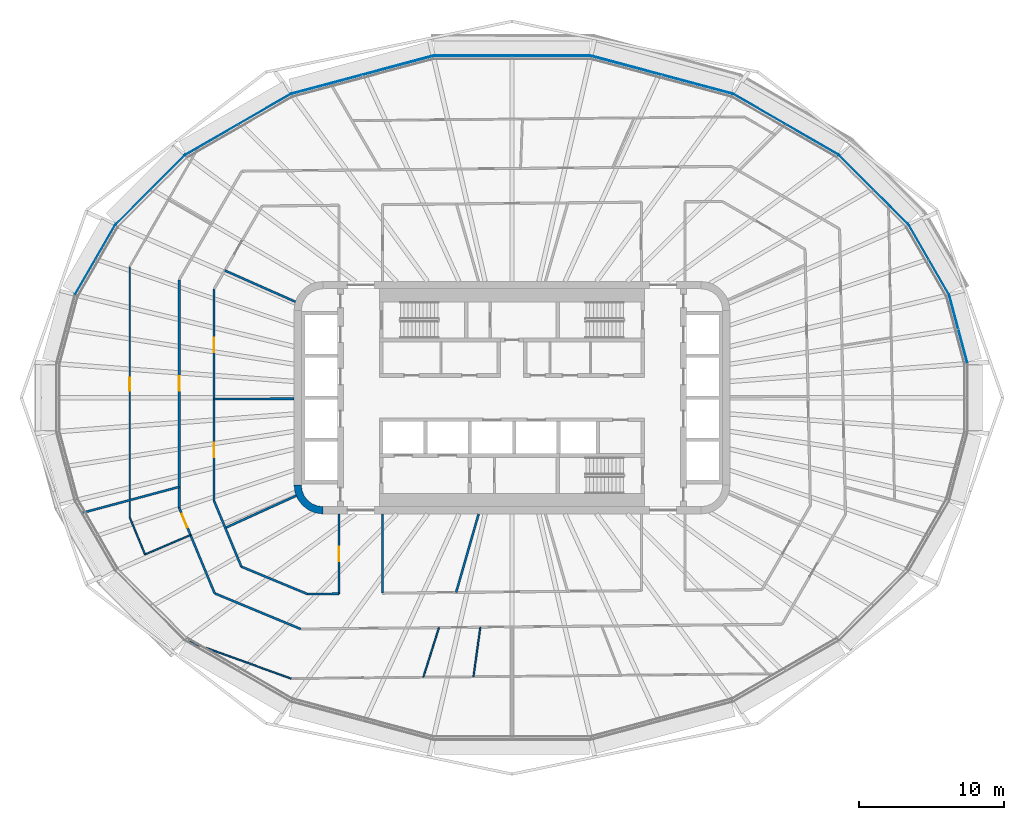
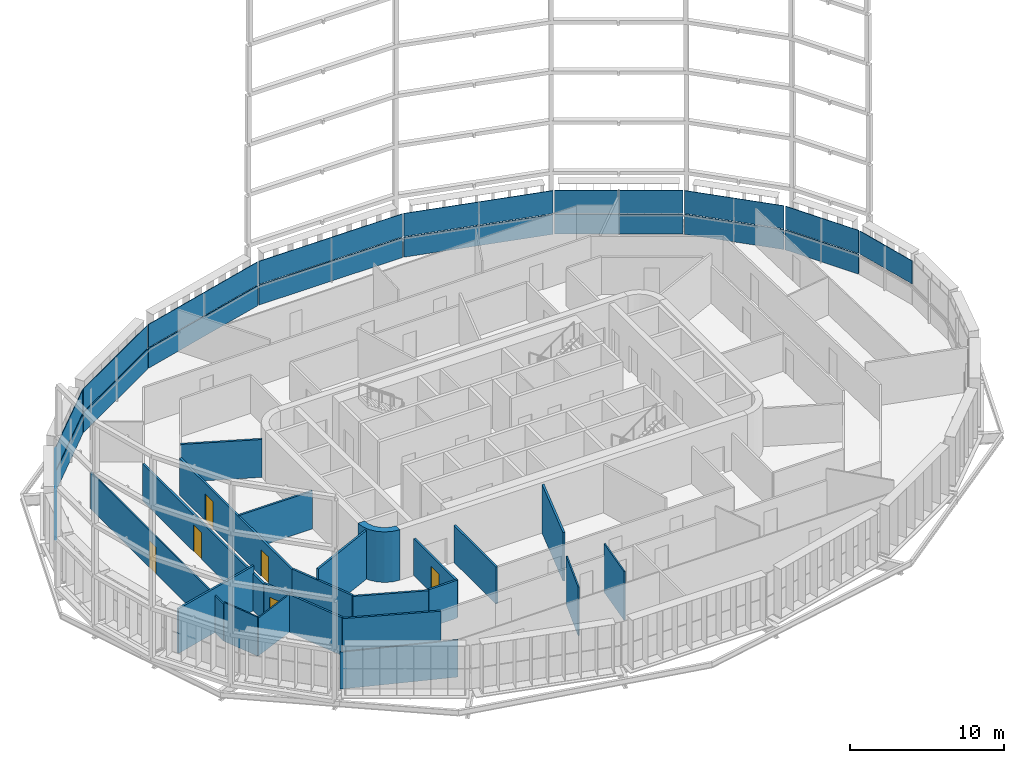
# One storey, part 11 of 24: 21 walls, 19 plates, 6 doors, 6 openings, 10 elements without a shape of their own.
"""IFC4 building model written with IfcOpenShell, lengths in metres."""

from ifc_helpers import new_model, si_unit, direction, frame, frame_2d, origin, place, context, subcontext, project, spatial, polyline, rectangle, outline, extrude, material, layer, layer_set, type_object, element, fill, aggregate, save


model = new_model("IFC4")

# Units and contexts
model_context = context("Model", 3, precision=1e-05, world=origin(), true_north=direction((0.0, 1.0)))
body_context = subcontext(model_context, "Body", "Model", "MODEL_VIEW")
ifc_project = project(units=[si_unit("LENGTHUNIT", "METRE"), si_unit("AREAUNIT", "SQUARE_METRE"), si_unit("VOLUMEUNIT", "CUBIC_METRE"), si_unit("PLANEANGLEUNIT", "RADIAN"), si_unit("MASSUNIT", "GRAM", prefix="KILO")], contexts=[model_context])

# Site, building, storey
site_placement = place(None, origin())
site = spatial("IfcSite", under=ifc_project, at=site_placement, CompositionType="ELEMENT")
building_placement = place(site_placement, origin())
building = spatial("IfcBuilding", under=site, at=building_placement, Name="Sahrelin Media Tower", CompositionType="ELEMENT")
storey_placement = place(building_placement, frame((0.0, 0.0, 153.60009765625)))
storey = spatial("IfcBuildingStorey", under=building, at=storey_placement, Name="L31", CompositionType="ELEMENT", Elevation=153.60009765625)

# Curtain wall, plate
ifc_material_1 = material(Name="Champagne anodised aluminium 6063-T6", Category="aluminium")
ifc_layer_1 = layer(ifc_material_1, 0.14990234375)
ifc_layer_set_1 = layer_set([ifc_layer_1], Name="Tower ribbon curtain wall")
curtain_wall_type = type_object("IfcCurtainWallType", Name="Tower ribbon curtain wall", PredefinedType="NOTDEFINED", material=ifc_layer_set_1)
curtain_wall_1_placement = place(storey_placement, frame((30.71728515625, 4.709716796875, 0.0), z_axis=(0.0, 0.0, 1.0), x_axis=(1.0, 0.0, 0.0)))
curtain_wall_1 = element("IfcCurtainWall", 1, at=curtain_wall_1_placement, inside=storey, type_object=curtain_wall_type, Name="L31:CW:L31-01", PredefinedType="NOTDEFINED")
ifc_material_2 = material(Name="Clear low-iron glazing", Category="glass")
ifc_layer_2 = layer(ifc_material_2, 0.0439453125)
ifc_layer_set_2 = layer_set([ifc_layer_2], Name="Glazing panel 44 mm CW1B")
plate_type_1 = type_object("IfcPlateType", Name="Glazing panel 44 mm CW1B", PredefinedType="CURTAIN_PANEL", material=ifc_layer_set_2)
plate_1_placement = place(storey_placement, frame((31.35791015625, 2.396484375, 1.6298828125), z_axis=(0.965927847978, 0.25881149994, 0.0), x_axis=(-0.25881149994, 0.965927847978, 0.0)))
plate_1 = element("IfcPlate", 2, at=plate_1_placement, type_object=plate_type_1, Name="L31:CWP2:L31-01", PredefinedType="CURTAIN_PANEL", context=body_context, shape_type="SweptSolid", body=[
    extrude(outline(polyline([(0.0, 0.0), (4.800537109375, 0.0), (4.800537109375, 1.818603515625), (0.0, 1.818603515625), (0.0, 0.0)])), origin(), (0.0, 0.0, -1.0), 0.0439453125),
])
aggregate(curtain_wall_1, [plate_1])

curtain_wall_2_placement = place(storey_placement, frame((28.689208984375, 9.490966796875, 0.0), z_axis=(0.0, 0.0, 1.0), x_axis=(1.0, 0.0, 0.0)))
curtain_wall_2 = element("IfcCurtainWall", 3, at=curtain_wall_2_placement, inside=storey, type_object=curtain_wall_type, Name="L31:CW:L31-02", PredefinedType="NOTDEFINED")
plate_2_placement = place(storey_placement, frame((30.075439453125, 7.1298828125, 1.6298828125), z_axis=(0.866034122891, 0.49998489776, 0.0), x_axis=(-0.49998489776, 0.866034122891, 0.0)))
plate_2 = element("IfcPlate", 4, at=plate_2_placement, type_object=plate_type_1, Name="L31:CWP2:L31-02", PredefinedType="CURTAIN_PANEL", context=body_context, shape_type="SweptSolid", body=[
    extrude(outline(polyline([(0.0, 0.0), (5.475830078125, 0.0), (5.475830078125, 1.818603515625), (0.0, 1.818603515625), (0.0, 0.0)])), origin(), (0.0, 0.0, -1.0), 0.0439453125),
])

curtain_wall_3_placement = place(storey_placement, frame((24.900634765625, 14.30029296875, 0.0), z_axis=(0.0, 0.0, 1.0), x_axis=(1.0, 0.0, 0.0)))
curtain_wall_3 = element("IfcCurtainWall", 5, at=curtain_wall_3_placement, inside=storey, type_object=curtain_wall_type, Name="L31:CW:L31-03", PredefinedType="NOTDEFINED")
plate_3_placement = place(storey_placement, frame((27.274169921875, 11.954833984375, 1.6298828125), z_axis=(0.707106781187, 0.707106781187, 0.0), x_axis=(-0.707106781187, 0.707106781187, 0.0)))
plate_3 = element("IfcPlate", 6, at=plate_3_placement, type_object=plate_type_1, Name="L31:CWP2:L31-03", PredefinedType="CURTAIN_PANEL", context=body_context, shape_type="SweptSolid", body=[
    extrude(outline(polyline([(0.0, 0.0), (6.67333984375, 0.0), (6.67333984375, 1.818603515625), (0.0, 1.818603515625), (0.0, 0.0)])), origin(), (0.0, 0.0, -1.0), 0.0439453125),
])

curtain_wall_4_placement = place(storey_placement, frame((18.85107421875, 18.804931640625, 0.0), z_axis=(0.0, 0.0, 1.0), x_axis=(1.0, 0.0, 0.0)))
curtain_wall_4 = element("IfcCurtainWall", 7, at=curtain_wall_4_placement, inside=storey, type_object=curtain_wall_type, Name="L31:CW:L31-04", PredefinedType="NOTDEFINED")
plate_4_placement = place(storey_placement, frame((22.472412109375, 16.7373046875, 1.6298828125), z_axis=(0.500002026074, 0.866024234027, 0.0), x_axis=(-0.866024234027, 0.500002026074, 0.0)))
plate_4 = element("IfcPlate", 8, at=plate_4_placement, type_object=plate_type_1, Name="L31:CWP2:L31-04", PredefinedType="CURTAIN_PANEL", context=body_context, shape_type="SweptSolid", body=[
    extrude(outline(polyline([(0.0, 0.0), (8.34033203125, 0.0), (8.34033203125, 1.818603515625), (0.0, 1.818603515625), (0.0, 0.0)])), origin(), (0.0, 0.0, -1.0), 0.0439453125),
])

curtain_wall_5_placement = place(storey_placement, frame((10.312255859375, 22.2236328125, 0.0), z_axis=(0.0, 0.0, 1.0), x_axis=(1.0, 0.0, 0.0)))
curtain_wall_5 = element("IfcCurtainWall", 9, at=curtain_wall_5_placement, inside=storey, type_object=curtain_wall_type, Name="L31:CW:L31-05", PredefinedType="NOTDEFINED")
plate_5_placement = place(storey_placement, frame((15.153076171875, 20.947509765625, 1.6298828125), z_axis=(0.258806775726, 0.965929113775, 0.0), x_axis=(-0.965929113775, 0.258806775726, 0.0)))
plate_5 = element("IfcPlate", 10, at=plate_5_placement, type_object=plate_type_1, Name="L31:CWP2:L31-05", PredefinedType="CURTAIN_PANEL", context=body_context, shape_type="SweptSolid", body=[
    extrude(outline(polyline([(0.0, 0.0), (10.012451171875, 0.0), (10.012451171875, 1.818603515625), (0.0, 1.818603515625), (0.0, 0.0)])), origin(), (0.0, 0.0, -1.0), 0.0439453125),
])

curtain_wall_6_placement = place(storey_placement, frame((0.0, 23.532470703125, 0.0), z_axis=(0.0, 0.0, 1.0), x_axis=(1.0, 0.0, 0.0)))
curtain_wall_6 = element("IfcCurtainWall", 11, at=curtain_wall_6_placement, inside=storey, type_object=curtain_wall_type, Name="L31:CW:L31-06", PredefinedType="NOTDEFINED")
plate_6_placement = place(storey_placement, frame((5.378173828125, 23.552490234375, 1.6298828125), z_axis=(0.0, 1.0, 0.0), x_axis=(-1.0, 0.0, 0.0)))
plate_6 = element("IfcPlate", 12, at=plate_6_placement, type_object=plate_type_1, Name="L31:CWP2:L31-06", PredefinedType="CURTAIN_PANEL", context=body_context, shape_type="SweptSolid", body=[
    extrude(outline(polyline([(0.0, 0.0), (10.75634765625, 0.0), (10.75634765625, 1.818603515625), (0.0, 1.818603515625), (0.0, 0.0)])), origin(), (0.0, 0.0, -1.0), 0.0439453125),
])

curtain_wall_7_placement = place(storey_placement, frame((-10.312255859375, 22.2236328125, 0.0), z_axis=(0.0, 0.0, 1.0), x_axis=(1.0, 0.0, 0.0)))
curtain_wall_7 = element("IfcCurtainWall", 13, at=curtain_wall_7_placement, inside=storey, type_object=curtain_wall_type, Name="L31:CW:L31-07", PredefinedType="NOTDEFINED")
plate_7_placement = place(storey_placement, frame((-5.481689453125, 23.538818359375, 1.6298828125), z_axis=(-0.258806775726, 0.965929113775, 0.0), x_axis=(-0.965929113775, -0.258806775726, 0.0)))
plate_7 = element("IfcPlate", 14, at=plate_7_placement, type_object=plate_type_1, Name="L31:CWP2:L31-07", PredefinedType="CURTAIN_PANEL", context=body_context, shape_type="SweptSolid", body=[
    extrude(outline(polyline([(0.0, 0.0), (10.012451171875, 0.0), (10.012451171875, 1.818603515625), (0.0, 1.818603515625), (0.0, 0.0)])), origin(), (0.0, 0.0, -1.0), 0.0439453125),
])

curtain_wall_8_placement = place(storey_placement, frame((-18.85107421875, 18.804931640625, 0.0), z_axis=(0.0, 0.0, 1.0), x_axis=(1.0, 0.0, 0.0)))
curtain_wall_8 = element("IfcCurtainWall", 15, at=curtain_wall_8_placement, inside=storey, type_object=curtain_wall_type, Name="L31:CW:L31-08", PredefinedType="NOTDEFINED")
plate_8_placement = place(storey_placement, frame((-15.24951171875, 20.907470703125, 1.6298828125), z_axis=(-0.500002026074, 0.866024234027, 0.0), x_axis=(-0.866024234027, -0.500002026074, 0.0)))
plate_8 = element("IfcPlate", 16, at=plate_8_placement, type_object=plate_type_1, Name="L31:CWP2:L31-08", PredefinedType="CURTAIN_PANEL", context=body_context, shape_type="SweptSolid", body=[
    extrude(outline(polyline([(0.0, 0.0), (8.34033203125, 0.0), (8.34033203125, 1.818603515625), (0.0, 1.818603515625), (0.0, 0.0)])), origin(), (0.0, 0.0, -1.0), 0.0439453125),
])

curtain_wall_9_placement = place(storey_placement, frame((-24.900390625, 14.300048828125, 0.0), z_axis=(0.0, 0.0, 1.0), x_axis=(1.0, 0.0, 0.0)))
curtain_wall_9 = element("IfcCurtainWall", 17, at=curtain_wall_9_placement, inside=storey, type_object=curtain_wall_type, Name="L31:CW:L31-09", PredefinedType="NOTDEFINED")
plate_9_placement = place(storey_placement, frame((-22.555419921875, 16.673583984375, 1.6298828125), z_axis=(-0.707106781187, 0.707106781187, 0.0), x_axis=(-0.707106781187, -0.707106781187, 0.0)))
plate_9 = element("IfcPlate", 18, at=plate_9_placement, type_object=plate_type_1, Name="L31:CWP2:L31-09", PredefinedType="CURTAIN_PANEL", context=body_context, shape_type="SweptSolid", body=[
    extrude(outline(polyline([(0.0, 0.0), (6.67333984375, 0.0), (6.67333984375, 1.818603515625), (0.0, 1.818603515625), (0.0, 0.0)])), origin(), (0.0, 0.0, -1.0), 0.0439453125),
])

curtain_wall_10_placement = place(storey_placement, frame((-28.689208984375, 9.490966796875, 0.0), z_axis=(0.0, 0.0, 1.0), x_axis=(1.0, 0.0, 0.0)))
curtain_wall_10 = element("IfcCurtainWall", 19, at=curtain_wall_10_placement, inside=storey, type_object=curtain_wall_type, Name="L31:CW:L31-10", PredefinedType="NOTDEFINED")
plate_10_placement = place(storey_placement, frame((-27.337646484375, 11.8720703125, 1.6298828125), z_axis=(-0.866034122891, 0.49998489776, 0.0), x_axis=(-0.49998489776, -0.866034122891, 0.0)))
plate_10 = element("IfcPlate", 20, at=plate_10_placement, type_object=plate_type_1, Name="L31:CWP2:L31-10", PredefinedType="CURTAIN_PANEL", context=body_context, shape_type="SweptSolid", body=[
    extrude(outline(polyline([(0.0, 0.0), (5.475830078125, 0.0), (5.475830078125, 1.818603515625), (0.0, 1.818603515625), (0.0, 0.0)])), origin(), (0.0, 0.0, -1.0), 0.0439453125),
])

# Plate
ifc_material_3 = material(Name="Insulated spandrel panel")
ifc_layer_3 = layer(ifc_material_3, 0.06005859375)
ifc_layer_set_3 = layer_set([ifc_layer_3], Name="Spandrel panel 60 mm CW1")
plate_type_2 = type_object("IfcPlateType", Name="Spandrel panel 60 mm CW1", PredefinedType="SHEET", material=ifc_layer_set_3)
plate_11_placement = place(storey_placement, frame((30.075439453125, 7.1298828125, 0.0), z_axis=(0.866034122891, 0.49998489776, 0.0), x_axis=(-0.49998489776, 0.866034122891, 0.0)))
plate_11 = element("IfcPlate", 21, at=plate_11_placement, type_object=plate_type_2, Name="L31:CWP1:L31-02", PredefinedType="SHEET", context=body_context, shape_type="SweptSolid", body=[
    extrude(outline(polyline([(0.0, 0.0), (5.475830078125, 0.0), (5.475830078125, 1.56982421875), (0.0, 1.56982421875), (0.0, 0.0)])), origin(), (0.0, 0.0, -1.0), 0.06005859375),
])

aggregate(curtain_wall_2, [plate_11, plate_2])

plate_12_placement = place(storey_placement, frame((27.274169921875, 11.954833984375, 0.0), z_axis=(0.707106781187, 0.707106781187, 0.0), x_axis=(-0.707106781187, 0.707106781187, 0.0)))
plate_12 = element("IfcPlate", 22, at=plate_12_placement, type_object=plate_type_2, Name="L31:CWP1:L31-03", PredefinedType="SHEET", context=body_context, shape_type="SweptSolid", body=[
    extrude(outline(polyline([(0.0, 0.0), (6.67333984375, 0.0), (6.67333984375, 1.56982421875), (0.0, 1.56982421875), (0.0, 0.0)])), origin(), (0.0, 0.0, -1.0), 0.06005859375),
])

aggregate(curtain_wall_3, [plate_12, plate_3])

plate_13_placement = place(storey_placement, frame((22.472412109375, 16.7373046875, 0.0), z_axis=(0.500002026074, 0.866024234027, 0.0), x_axis=(-0.866024234027, 0.500002026074, 0.0)))
plate_13 = element("IfcPlate", 23, at=plate_13_placement, type_object=plate_type_2, Name="L31:CWP1:L31-04", PredefinedType="SHEET", context=body_context, shape_type="SweptSolid", body=[
    extrude(outline(polyline([(0.0, 0.0), (8.34033203125, 0.0), (8.34033203125, 1.56982421875), (0.0, 1.56982421875), (0.0, 0.0)])), origin(), (0.0, 0.0, -1.0), 0.06005859375),
])

aggregate(curtain_wall_4, [plate_13, plate_4])

plate_14_placement = place(storey_placement, frame((15.153076171875, 20.947509765625, 0.0), z_axis=(0.258806775726, 0.965929113775, 0.0), x_axis=(-0.965929113775, 0.258806775726, 0.0)))
plate_14 = element("IfcPlate", 24, at=plate_14_placement, type_object=plate_type_2, Name="L31:CWP1:L31-05", PredefinedType="SHEET", context=body_context, shape_type="SweptSolid", body=[
    extrude(outline(polyline([(0.0, 0.0), (10.012451171875, 0.0), (10.012451171875, 1.56982421875), (0.0, 1.56982421875), (0.0, 0.0)])), origin(), (0.0, 0.0, -1.0), 0.06005859375),
])

aggregate(curtain_wall_5, [plate_14, plate_5])

plate_15_placement = place(storey_placement, frame((5.378173828125, 23.552490234375, 0.0), z_axis=(0.0, 1.0, 0.0), x_axis=(-1.0, 0.0, 0.0)))
plate_15 = element("IfcPlate", 25, at=plate_15_placement, type_object=plate_type_2, Name="L31:CWP1:L31-06", PredefinedType="SHEET", context=body_context, shape_type="SweptSolid", body=[
    extrude(outline(polyline([(0.0, 0.0), (10.75634765625, 0.0), (10.75634765625, 1.56982421875), (0.0, 1.56982421875), (0.0, 0.0)])), origin(), (0.0, 0.0, -1.0), 0.06005859375),
])

aggregate(curtain_wall_6, [plate_15, plate_6])

plate_16_placement = place(storey_placement, frame((-5.481689453125, 23.538818359375, 0.0), z_axis=(-0.258806775726, 0.965929113775, 0.0), x_axis=(-0.965929113775, -0.258806775726, 0.0)))
plate_16 = element("IfcPlate", 26, at=plate_16_placement, type_object=plate_type_2, Name="L31:CWP1:L31-07", PredefinedType="SHEET", context=body_context, shape_type="SweptSolid", body=[
    extrude(outline(polyline([(0.0, 0.0), (10.012451171875, 0.0), (10.012451171875, 1.56982421875), (0.0, 1.56982421875), (0.0, 0.0)])), origin(), (0.0, 0.0, -1.0), 0.06005859375),
])

aggregate(curtain_wall_7, [plate_16, plate_7])

plate_17_placement = place(storey_placement, frame((-15.24951171875, 20.907470703125, 0.0), z_axis=(-0.500002026074, 0.866024234027, 0.0), x_axis=(-0.866024234027, -0.500002026074, 0.0)))
plate_17 = element("IfcPlate", 27, at=plate_17_placement, type_object=plate_type_2, Name="L31:CWP1:L31-08", PredefinedType="SHEET", context=body_context, shape_type="SweptSolid", body=[
    extrude(outline(polyline([(0.0, 0.0), (8.34033203125, 0.0), (8.34033203125, 1.56982421875), (0.0, 1.56982421875), (0.0, 0.0)])), origin(), (0.0, 0.0, -1.0), 0.06005859375),
])

aggregate(curtain_wall_8, [plate_17, plate_8])

plate_18_placement = place(storey_placement, frame((-22.555419921875, 16.673583984375, 0.0), z_axis=(-0.707106781187, 0.707106781187, 0.0), x_axis=(-0.707106781187, -0.707106781187, 0.0)))
plate_18 = element("IfcPlate", 28, at=plate_18_placement, type_object=plate_type_2, Name="L31:CWP1:L31-09", PredefinedType="SHEET", context=body_context, shape_type="SweptSolid", body=[
    extrude(outline(polyline([(0.0, 0.0), (6.67333984375, 0.0), (6.67333984375, 1.56982421875), (0.0, 1.56982421875), (0.0, 0.0)])), origin(), (0.0, 0.0, -1.0), 0.06005859375),
])

aggregate(curtain_wall_9, [plate_18, plate_9])

plate_19_placement = place(storey_placement, frame((-27.337646484375, 11.8720703125, 0.0), z_axis=(-0.866034122891, 0.49998489776, 0.0), x_axis=(-0.49998489776, -0.866034122891, 0.0)))
plate_19 = element("IfcPlate", 29, at=plate_19_placement, type_object=plate_type_2, Name="L31:CWP1:L31-10", PredefinedType="SHEET", context=body_context, shape_type="SweptSolid", body=[
    extrude(outline(polyline([(0.0, 0.0), (5.475830078125, 0.0), (5.475830078125, 1.56982421875), (0.0, 1.56982421875), (0.0, 0.0)])), origin(), (0.0, 0.0, -1.0), 0.06005859375),
])

aggregate(curtain_wall_10, [plate_19, plate_10])

# Wall
ifc_material_4 = material(Name="Concrete C60/75", Category="concrete")
ifc_layer_4 = layer(ifc_material_4, 0.5)
ifc_layer_set_4 = layer_set([ifc_layer_4], Name="Core wall 500")
wall_type_1 = type_object("IfcWallType", Name="Core wall 500", PredefinedType="SHEAR", material=ifc_layer_set_4)
wall_1_placement = place(storey_placement, origin())
element("IfcWall", 30, at=wall_1_placement, inside=storey, type_object=wall_type_1, Name="Core wall corner SW L31", PredefinedType="SHEAR", context=body_context, shape_type="SweptSolid", body=[
    extrude(outline(polyline([(-13.0, -8.0), (-13.0, -7.49560546875), (-13.38720703125, -7.44482421875), (-13.747802734375, -7.29541015625), (-14.0576171875, -7.0576171875), (-14.29541015625, -6.747802734375), (-14.44482421875, -6.38720703125), (-14.49560546875, -6.0), (-15.0, -6.0), (-14.931884765625, -6.517578125), (-14.732177734375, -7.0), (-14.414306640625, -7.414306640625), (-14.0, -7.732177734375), (-13.517578125, -7.931884765625), (-13.0, -8.0)])), origin(), (0.0, 0.0, 1.0), 4.0),
])

# Wall, opening, door
ifc_material_5 = material(Name="Fire-rated gypsum board partition")
ifc_layer_5 = layer(ifc_material_5, 0.14990234375)
ifc_layer_set_5 = layer_set([ifc_layer_5], Name="Fire-rated partition 150")
wall_type_2 = type_object("IfcWallType", Name="Fire-rated partition 150", PredefinedType="PARTITIONING", material=ifc_layer_set_5)
wall_2_placement = place(storey_placement, frame((-22.89990234375, -7.572021484375, 0.0), z_axis=(0.0, 0.0, 1.0), x_axis=(0.382860357704, -0.923806227788, 0.0)))
wall_2 = element("IfcWall", 31, at=wall_2_placement, inside=storey, type_object=wall_type_2, Name="Wall", PredefinedType="PARTITIONING", context=body_context, shape_type="SweptSolid", body=[
    extrude(rectangle(XDim=6.37353515625, YDim=0.14990234375, at=frame_2d((3.186767578125, 0.0))), origin(), (0.0, 0.0, 1.0), 2.994873046875),
])
opening_1_placement = place(wall_2_placement, frame((0.46240234375, 0.0, 0.0)))
opening_1 = element("IfcOpeningElement", 32, at=opening_1_placement, cuts=wall_2, Name="Opening L31-D44", PredefinedType="OPENING", context=body_context, shape_type="SweptSolid", body=[
    extrude(rectangle(XDim=1.0, YDim=2.10009765625, at=frame_2d((0.5, 1.050048828125))), frame((0.0, 0.074951171875, 0.0), z_axis=(0.0, -1.0, 0.0), x_axis=(1.0, 0.0, 0.0)), (0.0, 0.0, 1.0), 0.14990234375),
])
ifc_material_6 = material(Name="Steel fire door leaf", Category="steel")
door_type_1 = type_object("IfcDoorType", Name="Fire door 1000 x 2100 EI 60", OperationType="NOTDEFINED", PredefinedType="DOOR", material=ifc_material_6)
door_1_placement = place(opening_1_placement, origin())
door_1 = element("IfcDoor", 33, at=door_1_placement, inside=storey, type_object=door_type_1, Name="Fire door", OperationType="SINGLE_SWING_LEFT", OverallHeight=2.10009765625, OverallWidth=1.0, PredefinedType="DOOR", context=body_context, shape_type="SweptSolid", body=[
    extrude(rectangle(XDim=1.0, YDim=2.10009765625, at=frame_2d((0.5, 1.050048828125))), frame((0.0, 0.02490234375, 0.0), z_axis=(0.0, -1.0, 0.0), x_axis=(1.0, 0.0, 0.0)), (0.0, 0.0, 1.0), 0.050048828125),
])
fill(opening_1, door_1)

# Walls
wall_3_placement = place(storey_placement, frame((-20.5, -7.094970703125, 0.0), z_axis=(0.0, 0.0, 1.0), x_axis=(0.382878184095, -0.923798839653, 0.0)))
element("IfcWall", 34, at=wall_3_placement, inside=storey, type_object=wall_type_2, Name="Wall", PredefinedType="PARTITIONING", context=body_context, shape_type="SweptSolid", body=[
    extrude(rectangle(XDim=4.901611328125, YDim=0.14990234375, at=frame_2d((2.45068359375, 0.0))), origin(), (0.0, 0.0, 1.0), 2.994873046875),
])
wall_4_placement = place(storey_placement, frame((-19.760009765625, 8.7548828125, 0.0), z_axis=(0.0, 0.0, 1.0), x_axis=(0.91424834547, -0.405154245695, 0.0)))
element("IfcWall", 35, at=wall_4_placement, inside=storey, type_object=wall_type_2, Name="Wall", PredefinedType="PARTITIONING", context=body_context, shape_type="SweptSolid", body=[
    extrude(rectangle(XDim=5.31787109375, YDim=0.14990234375, at=frame_2d((2.658935546875, 0.0))), origin(), (0.0, 0.0, 1.0), 2.994873046875),
])
wall_5_placement = place(storey_placement, frame((-20.4599609375, -13.4599609375, 0.0), z_axis=(0.0, 0.0, 1.0), x_axis=(0.923801547606, -0.382871650349, 0.0)))
element("IfcWall", 36, at=wall_5_placement, inside=storey, type_object=wall_type_2, Name="Wall", PredefinedType="PARTITIONING", context=body_context, shape_type="SweptSolid", body=[
    extrude(rectangle(XDim=6.414794921875, YDim=0.14990234375, at=frame_2d((3.20751953125, 0.0))), origin(), (0.0, 0.0, 1.0), 2.927001953125),
])
wall_6_placement = place(storey_placement, frame((-18.623046875, -11.623046875, 0.0), z_axis=(0.0, 0.0, 1.0), x_axis=(0.923791670587, -0.38289548098, 0.0)))
element("IfcWall", 37, at=wall_6_placement, inside=storey, type_object=wall_type_2, Name="Wall", PredefinedType="PARTITIONING", context=body_context, shape_type="SweptSolid", body=[
    extrude(rectangle(XDim=4.9306640625, YDim=0.14990234375, at=frame_2d((2.46533203125, 0.0))), origin(), (0.0, 0.0, 1.0), 2.927001953125),
])
wall_7_placement = place(storey_placement, frame((-20.5, -0.093994140625, 0.0), z_axis=(0.0, 0.0, 1.0), x_axis=(0.999990148138, 0.004438876723, 0.0)))
element("IfcWall", 38, at=wall_7_placement, inside=storey, type_object=wall_type_2, Name="Wall", PredefinedType="PARTITIONING", context=body_context, shape_type="SweptSolid", body=[
    extrude(rectangle(XDim=5.5, YDim=0.14990234375, at=frame_2d((2.75, 0.0))), origin(), (0.0, 0.0, 1.0), 2.994873046875),
])
wall_8_placement = place(storey_placement, frame((-14.068115234375, -13.510986328125, 0.0), z_axis=(0.0, 0.0, 1.0), x_axis=(0.999950911515, 0.009908307647, 0.0)))
element("IfcWall", 39, at=wall_8_placement, inside=storey, type_object=wall_type_2, Name="Wall", PredefinedType="PARTITIONING", context=body_context, shape_type="SweptSolid", body=[
    extrude(rectangle(XDim=2.168212890625, YDim=0.14990234375, at=frame_2d((1.083984375, 0.0))), origin(), (0.0, 0.0, 1.0), 2.994873046875),
])
wall_9_placement = place(storey_placement, frame((-29.591064453125, -7.928955078125, 0.0), z_axis=(0.0, 0.0, 1.0), x_axis=(0.965923037728, 0.258829451931, 0.0)))
element("IfcWall", 40, at=wall_9_placement, inside=storey, type_object=wall_type_2, Name="Wall", PredefinedType="PARTITIONING", context=body_context, shape_type="SweptSolid", body=[
    extrude(rectangle(XDim=6.92724609375, YDim=0.14990234375, at=frame_2d((3.463623046875, 0.0))), origin(), (0.0, 0.0, 1.0), 3.526611328125),
])
wall_10_placement = place(storey_placement, frame((-19.72802734375, -8.9580078125, 0.0), z_axis=(0.0, 0.0, 1.0), x_axis=(0.910629511797, 0.413223779863, 0.0)))
element("IfcWall", 41, at=wall_10_placement, inside=storey, type_object=wall_type_2, Name="Wall", PredefinedType="PARTITIONING", context=body_context, shape_type="SweptSolid", body=[
    extrude(rectangle(XDim=5.3681640625, YDim=0.14990234375, at=frame_2d((2.68408203125, 0.0))), origin(), (0.0, 0.0, 1.0), 3.849853515625),
])
wall_11_placement = place(storey_placement, frame((-3.845947265625, -13.39892578125, 0.0), z_axis=(0.0, 0.0, 1.0), x_axis=(0.275914969745, 0.961182048038, 0.0)))
element("IfcWall", 42, at=wall_11_placement, inside=storey, type_object=wall_type_2, Name="Wall", PredefinedType="PARTITIONING", context=body_context, shape_type="SweptSolid", body=[
    extrude(rectangle(XDim=5.616943359375, YDim=0.14990234375, at=frame_2d((2.80859375, 0.0))), origin(), (0.0, 0.0, 1.0), 3.849853515625),
])
wall_12_placement = place(storey_placement, frame((-8.89990234375, -13.448974609375, 0.0), z_axis=(0.0, 0.0, 1.0), x_axis=(0.0, 1.0, 0.0)))
element("IfcWall", 43, at=wall_12_placement, inside=storey, type_object=wall_type_2, Name="Wall", PredefinedType="PARTITIONING", context=body_context, shape_type="SweptSolid", body=[
    extrude(rectangle(XDim=5.448974609375, YDim=0.14990234375, at=frame_2d((2.724609375, 0.0))), origin(), (0.0, 0.0, 1.0), 2.927001953125),
])

# Wall, opening, door
wall_13_placement = place(storey_placement, frame((-11.89990234375, -13.489990234375, 0.0), z_axis=(0.0, 0.0, 1.0), x_axis=(0.0, 1.0, 0.0)))
wall_13 = element("IfcWall", 44, at=wall_13_placement, inside=storey, type_object=wall_type_2, Name="Wall", PredefinedType="PARTITIONING", context=body_context, shape_type="SweptSolid", body=[
    extrude(rectangle(XDim=5.489990234375, YDim=0.14990234375, at=frame_2d((2.7451171875, 0.0))), origin(), (0.0, 0.0, 1.0), 2.927001953125),
])
opening_2_placement = place(wall_13_placement, frame((2.2451171875, 0.0, 0.0)))
opening_2 = element("IfcOpeningElement", 45, at=opening_2_placement, cuts=wall_13, Name="Opening L31-D36", PredefinedType="OPENING", context=body_context, shape_type="SweptSolid", body=[
    extrude(rectangle(XDim=1.0, YDim=2.10009765625, at=frame_2d((0.5, 1.050048828125))), frame((0.0, 0.074951171875, 0.0), z_axis=(0.0, -1.0, 0.0), x_axis=(1.0, 0.0, 0.0)), (0.0, 0.0, 1.0), 0.14990234375),
])
door_2_placement = place(opening_2_placement, origin())
door_2 = element("IfcDoor", 46, at=door_2_placement, inside=storey, type_object=door_type_1, Name="Fire door", OperationType="SINGLE_SWING_RIGHT", OverallHeight=2.10009765625, OverallWidth=1.0, PredefinedType="DOOR", context=body_context, shape_type="SweptSolid", body=[
    extrude(rectangle(XDim=1.0, YDim=2.10009765625, at=frame_2d((0.5, 1.050048828125))), frame((0.0, 0.02490234375, 0.0), z_axis=(0.0, -1.0, 0.0), x_axis=(1.0, 0.0, 0.0)), (0.0, 0.0, 1.0), 0.050048828125),
])
fill(opening_2, door_2)

# Wall, openings, doors
wall_14_placement = place(storey_placement, frame((-20.5, -7.094970703125, 0.0), z_axis=(0.0, 0.0, 1.0), x_axis=(0.0, 1.0, 0.0)))
wall_14 = element("IfcWall", 47, at=wall_14_placement, inside=storey, type_object=wall_type_2, Name="Wall", PredefinedType="PARTITIONING", context=body_context, shape_type="SweptSolid", body=[
    extrude(rectangle(XDim=14.569091796875, YDim=0.14990234375, at=frame_2d((7.28466796875, 0.0))), origin(), (0.0, 0.0, 1.0), 2.927001953125),
])
opening_3_placement = place(wall_14_placement, frame((10.234375, 0.0, 0.0)))
opening_3 = element("IfcOpeningElement", 48, at=opening_3_placement, cuts=wall_14, Name="Opening L31-D34", PredefinedType="OPENING", context=body_context, shape_type="SweptSolid", body=[
    extrude(rectangle(XDim=1.0, YDim=2.10009765625, at=frame_2d((0.5, 1.050048828125))), frame((0.0, 0.074951171875, 0.0), z_axis=(0.0, -1.0, 0.0), x_axis=(1.0, 0.0, 0.0)), (0.0, 0.0, 1.0), 0.14990234375),
])
opening_4_placement = place(wall_14_placement, frame((3.00048828125, 0.0, 0.0)))
opening_4 = element("IfcOpeningElement", 49, at=opening_4_placement, cuts=wall_14, Name="Opening L31-D35", PredefinedType="OPENING", context=body_context, shape_type="SweptSolid", body=[
    extrude(rectangle(XDim=1.0, YDim=2.10009765625, at=frame_2d((0.5, 1.050048828125))), frame((0.0, 0.074951171875, 0.0), z_axis=(0.0, -1.0, 0.0), x_axis=(1.0, 0.0, 0.0)), (0.0, 0.0, 1.0), 0.14990234375),
])
door_3_placement = place(opening_3_placement, origin())
door_3 = element("IfcDoor", 50, at=door_3_placement, inside=storey, type_object=door_type_1, Name="Fire door", OperationType="SINGLE_SWING_RIGHT", OverallHeight=2.10009765625, OverallWidth=1.0, PredefinedType="DOOR", context=body_context, shape_type="SweptSolid", body=[
    extrude(rectangle(XDim=1.0, YDim=2.10009765625, at=frame_2d((0.5, 1.050048828125))), frame((0.0, 0.02490234375, 0.0), z_axis=(0.0, -1.0, 0.0), x_axis=(1.0, 0.0, 0.0)), (0.0, 0.0, 1.0), 0.050048828125),
])
fill(opening_3, door_3)
door_4_placement = place(opening_4_placement, origin())
door_4 = element("IfcDoor", 51, at=door_4_placement, inside=storey, type_object=door_type_1, Name="Fire door", OperationType="SINGLE_SWING_RIGHT", OverallHeight=2.10009765625, OverallWidth=1.0, PredefinedType="DOOR", context=body_context, shape_type="SweptSolid", body=[
    extrude(rectangle(XDim=1.0, YDim=2.10009765625, at=frame_2d((0.5, 1.050048828125))), frame((0.0, 0.02490234375, 0.0), z_axis=(0.0, -1.0, 0.0), x_axis=(1.0, 0.0, 0.0)), (0.0, 0.0, 1.0), 0.050048828125),
])
fill(opening_4, door_4)

# Wall, opening, door
wall_15_placement = place(storey_placement, frame((-22.89990234375, -7.572021484375, 0.0), z_axis=(0.0, 0.0, 1.0), x_axis=(0.0, 1.0, 0.0)))
wall_15 = element("IfcWall", 52, at=wall_15_placement, inside=storey, type_object=wall_type_2, Name="Wall", PredefinedType="PARTITIONING", context=body_context, shape_type="SweptSolid", body=[
    extrude(rectangle(XDim=15.68896484375, YDim=0.14990234375, at=frame_2d((7.844482421875, 0.0))), origin(), (0.0, 0.0, 1.0), 2.927001953125),
])
opening_5_placement = place(wall_15_placement, frame((8.0625, 0.0, 0.0)))
opening_5 = element("IfcOpeningElement", 53, at=opening_5_placement, cuts=wall_15, Name="Opening L31-D42", PredefinedType="OPENING", context=body_context, shape_type="SweptSolid", body=[
    extrude(rectangle(XDim=1.0, YDim=2.10009765625, at=frame_2d((0.5, 1.050048828125))), frame((0.0, 0.074951171875, 0.0), z_axis=(0.0, -1.0, 0.0), x_axis=(1.0, 0.0, 0.0)), (0.0, 0.0, 1.0), 0.14990234375),
])
door_5_placement = place(opening_5_placement, origin())
door_5 = element("IfcDoor", 54, at=door_5_placement, inside=storey, type_object=door_type_1, Name="Fire door", OperationType="SINGLE_SWING_RIGHT", OverallHeight=2.10009765625, OverallWidth=1.0, PredefinedType="DOOR", context=body_context, shape_type="SweptSolid", body=[
    extrude(rectangle(XDim=1.0, YDim=2.10009765625, at=frame_2d((0.5, 1.050048828125))), frame((0.0, 0.02490234375, 0.0), z_axis=(0.0, -1.0, 0.0), x_axis=(1.0, 0.0, 0.0)), (0.0, 0.0, 1.0), 0.050048828125),
])
fill(opening_5, door_5)

# Walls
ifc_material_7 = material(Name="Gypsum board partition")
ifc_layer_6 = layer(ifc_material_7, 0.10009765625)
ifc_layer_set_6 = layer_set([ifc_layer_6], Name="Partition 100")
wall_type_3 = type_object("IfcWallType", Name="Partition 100", PredefinedType="PARTITIONING", material=ifc_layer_set_6)
wall_16_placement = place(storey_placement, frame((-26.300048828125, -8.2490234375, 0.0), z_axis=(0.0, 0.0, 1.0), x_axis=(0.382878044957, -0.92379889732, 0.0)))
element("IfcWall", 55, at=wall_16_placement, inside=storey, type_object=wall_type_3, Name="Wall", PredefinedType="PARTITIONING", context=body_context, shape_type="SweptSolid", body=[
    extrude(rectangle(XDim=2.7451171875, YDim=0.10009765625, at=frame_2d((1.37255859375, 0.0))), origin(), (0.0, 0.0, 1.0), 3.075927734375),
])
wall_17_placement = place(storey_placement, frame((-22.506103515625, -16.695068359375, 0.0), z_axis=(0.0, 0.0, 1.0), x_axis=(0.941067528236, -0.338218727009, 0.0)))
element("IfcWall", 56, at=wall_17_placement, inside=storey, type_object=wall_type_3, Name="Wall", PredefinedType="PARTITIONING", context=body_context, shape_type="SweptSolid", body=[
    extrude(rectangle(XDim=7.77001953125, YDim=0.10009765625, at=frame_2d((3.885009765625, 0.0))), origin(), (0.0, 0.0, 1.0), 2.927001953125),
])
wall_18_placement = place(storey_placement, frame((-25.2490234375, -10.784912109375, 0.0), z_axis=(0.0, 0.0, 1.0), x_axis=(0.919590085221, 0.392879211925, 0.0)))
element("IfcWall", 57, at=wall_18_placement, inside=storey, type_object=wall_type_3, Name="Wall", PredefinedType="PARTITIONING", context=body_context, shape_type="SweptSolid", body=[
    extrude(rectangle(XDim=3.400390625, YDim=0.10009765625, at=frame_2d((1.7001953125, 0.0))), origin(), (0.0, 0.0, 1.0), 2.994873046875),
])
wall_19_placement = place(storey_placement, frame((-6.10595703125, -19.23291015625, 0.0), z_axis=(0.0, 0.0, 1.0), x_axis=(0.302626350856, 0.95310927588, 0.0)))
element("IfcWall", 58, at=wall_19_placement, inside=storey, type_object=wall_type_3, Name="Wall", PredefinedType="PARTITIONING", context=body_context, shape_type="SweptSolid", body=[
    extrude(rectangle(XDim=3.57861328125, YDim=0.10009765625, at=frame_2d((1.789306640625, 0.0))), origin(), (0.0, 0.0, 1.0), 3.849853515625),
])
wall_20_placement = place(storey_placement, frame((-2.64990234375, -19.197998046875, 0.0), z_axis=(0.0, 0.0, 1.0), x_axis=(0.136764815741, 0.990603545913, 0.0)))
element("IfcWall", 59, at=wall_20_placement, inside=storey, type_object=wall_type_3, Name="Wall", PredefinedType="PARTITIONING", context=body_context, shape_type="SweptSolid", body=[
    extrude(rectangle(XDim=3.436279296875, YDim=0.10009765625, at=frame_2d((1.71826171875, 0.0))), origin(), (0.0, 0.0, 1.0), 3.849853515625),
])

# Wall, opening, door
wall_21_placement = place(storey_placement, frame((-26.300048828125, -8.2490234375, 0.0), z_axis=(0.0, 0.0, 1.0), x_axis=(0.0, 1.0, 0.0)))
wall_21 = element("IfcWall", 60, at=wall_21_placement, inside=storey, type_object=wall_type_3, Name="Wall", PredefinedType="PARTITIONING", context=body_context, shape_type="SweptSolid", body=[
    extrude(rectangle(XDim=17.277099609375, YDim=0.10009765625, at=frame_2d((8.638671875, 0.0))), origin(), (0.0, 0.0, 1.0), 2.927001953125),
])
opening_6_placement = place(wall_21_placement, frame((8.7392578125, 0.0, 0.0)))
opening_6 = element("IfcOpeningElement", 61, at=opening_6_placement, cuts=wall_21, Name="Opening L31-D43", PredefinedType="OPENING", context=body_context, shape_type="SweptSolid", body=[
    extrude(rectangle(XDim=0.89990234375, YDim=2.10009765625, at=frame_2d((0.449951171875, 1.050048828125))), frame((0.0, 0.050048828125, 0.0), z_axis=(0.0, -1.0, 0.0), x_axis=(1.0, 0.0, 0.0)), (0.0, 0.0, 1.0), 0.10009765625),
])
ifc_material_8 = material(Name="Timber door leaf", Category="wood")
door_type_2 = type_object("IfcDoorType", Name="Single door 900 x 2100", OperationType="NOTDEFINED", PredefinedType="DOOR", material=ifc_material_8)
door_6_placement = place(opening_6_placement, origin())
door_6 = element("IfcDoor", 62, at=door_6_placement, inside=storey, type_object=door_type_2, Name="Single door", OperationType="SINGLE_SWING_RIGHT", OverallHeight=2.10009765625, OverallWidth=0.89990234375, PredefinedType="DOOR", context=body_context, shape_type="SweptSolid", body=[
    extrude(rectangle(XDim=0.89990234375, YDim=2.10009765625, at=frame_2d((0.449951171875, 1.050048828125))), frame((0.0, 0.02490234375, 0.0), z_axis=(0.0, -1.0, 0.0), x_axis=(1.0, 0.0, 0.0)), (0.0, 0.0, 1.0), 0.050048828125),
])
fill(opening_6, door_6)

save(model, "model.ifc")
